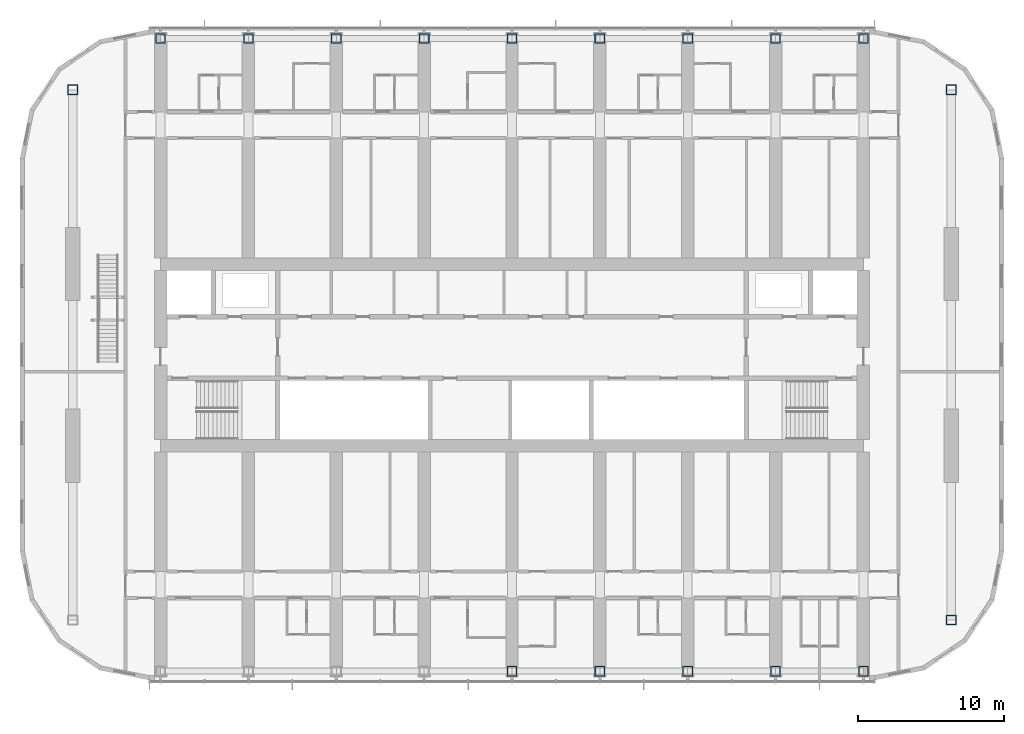
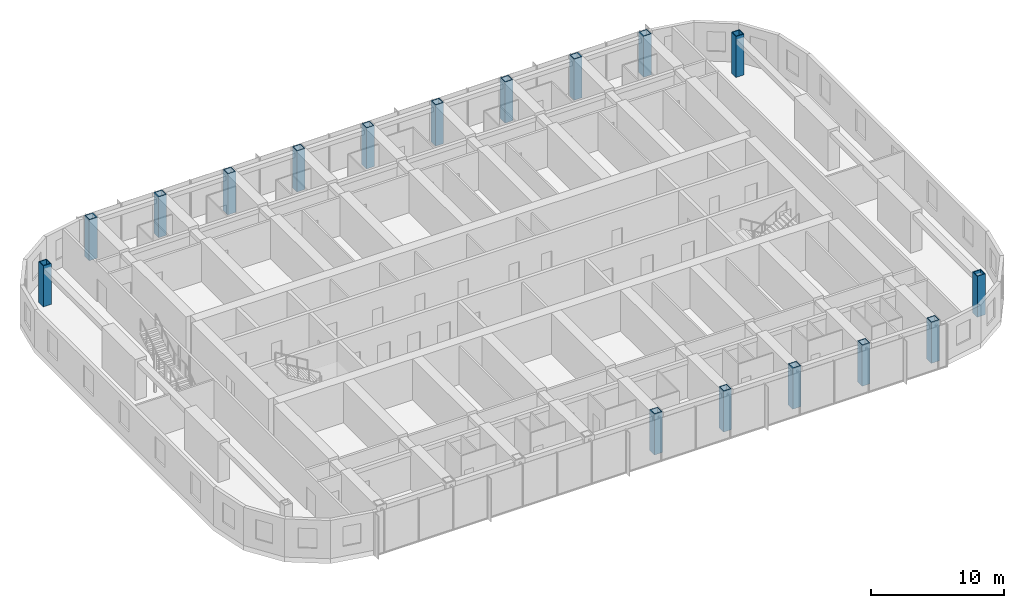
# One storey, part 3 of 27: 17 columns.
"""IFC4 building model written with IfcOpenShell, lengths in metres."""

from ifc_helpers import new_model, si_unit, direction, frame, origin, origin_2d, place, context, subcontext, project, spatial, hollow_rectangle, extrude, material, material_profile, profile_set, type_object, element, save


model = new_model("IFC4")

# Units and contexts
model_context = context("Model", 3, precision=1e-05, world=origin(), true_north=direction((0.0, 1.0)))
body_context = subcontext(model_context, "Body", "Model", "MODEL_VIEW")
ifc_project = project(units=[si_unit("LENGTHUNIT", "METRE"), si_unit("AREAUNIT", "SQUARE_METRE"), si_unit("VOLUMEUNIT", "CUBIC_METRE"), si_unit("PLANEANGLEUNIT", "RADIAN"), si_unit("MASSUNIT", "GRAM", prefix="KILO")], contexts=[model_context])

# Site, building, storey
site_placement = place(None, origin())
site = spatial("IfcSite", under=ifc_project, at=site_placement, CompositionType="ELEMENT")
building_placement = place(site_placement, origin())
building = spatial("IfcBuilding", under=site, at=building_placement, Name="Orbita Commons", CompositionType="ELEMENT")
storey_placement = place(building_placement, frame((0.0, 0.0, 178.60009765625)))
storey = spatial("IfcBuildingStorey", under=building, at=storey_placement, Name="L44", CompositionType="ELEMENT", Elevation=178.60009765625)

# Columns
ifc_material = material(Name="Steel ASTM A572 Gr 50 welded plate", Category="steel")
ifc_material_profile = material_profile(ifc_material, hollow_rectangle(XDim=0.699951171875, YDim=0.699951171875, WallThickness=0.070068359375, at=origin_2d()), Name="BOX 700x700x70")
ifc_profile_set = profile_set([ifc_material_profile], Name="Steel ASTM A572 Gr 50 welded plate")
column_type = type_object("IfcColumnType", Name="Steel column BOX 700x700x70", PredefinedType="COLUMN", material=ifc_profile_set)
for number, where, z_axis, x_axis, name in (
    (1, (18.0, 53.60009765625, 0.0), (0.0, 0.0, 1.0), (1.0, 0.0, 0.0), "Column 4/E L44"),
    (2, (24.0, 53.60009765625, 0.0), (0.0, 0.0, 1.0), (1.0, 0.0, 0.0), "Column 5/E L44"),
    (3, (30.0, 53.60009765625, 0.0), (0.0, 0.0, 1.0), (1.0, 0.0, 0.0), "Column 6/E L44"),
    (4, (36.0, 53.60009765625, 0.0), (0.0, 0.0, 1.0), (1.0, 0.0, 0.0), "Column 7/E L44"),
    (5, (42.0, 10.39990234375, 0.0), (0.0, 0.0, 1.0), (1.0, 0.0, 0.0), "Column 8/B L44"),
    (6, (42.0, 53.60009765625, 0.0), (0.0, 0.0, 1.0), (1.0, 0.0, 0.0), "Column 8/E L44"),
    (7, (48.0, 10.39990234375, 0.0), (0.0, 0.0, 1.0), (1.0, 0.0, 0.0), "Column 9/B L44"),
    (8, (48.0, 53.60009765625, 0.0), (0.0, 0.0, 1.0), (1.0, 0.0, 0.0), "Column 9/E L44"),
    (9, (54.0, 10.39990234375, 0.0), (0.0, 0.0, 1.0), (1.0, 0.0, 0.0), "Column 10/B L44"),
    (10, (54.0, 53.60009765625, 0.0), (0.0, 0.0, 1.0), (1.0, 0.0, 0.0), "Column 10/E L44"),
    (11, (60.0, 10.39990234375, 0.0), (0.0, 0.0, 1.0), (1.0, 0.0, 0.0), "Column 11/B L44"),
    (12, (60.0, 53.60009765625, 0.0), (0.0, 0.0, 1.0), (1.0, 0.0, 0.0), "Column 11/E L44"),
    (13, (66.0, 10.39990234375, 0.0), (0.0, 0.0, 1.0), (1.0, 0.0, 0.0), "Column 12/B L44"),
    (14, (66.0, 53.60009765625, 0.0), (0.0, 0.0, 1.0), (1.0, 0.0, 0.0), "Column 12/E L44"),
    (15, (12.0, 50.10009765625, 0.0), (0.0, 0.0, 1.0), (1.0, 0.0, 0.0), "Column 3/50.1 L44"),
    (16, (72.0, 13.89990234375, 0.0), (0.0, 0.0, 1.0), (1.0, 0.0, 0.0), "Column 13/13.9 L44"),
    (17, (72.0, 50.10009765625, 0.0), (0.0, 0.0, 1.0), (1.0, 0.0, 0.0), "Column 13/50.1 L44"),
):
    element("IfcColumn", number, at=place(storey_placement, frame(where, z_axis=z_axis, x_axis=x_axis)), inside=storey, type_object=column_type, Name=name, PredefinedType="COLUMN", context=body_context, shape_type="SweptSolid", body=[
        extrude(hollow_rectangle(XDim=0.699951171875, YDim=0.699951171875, WallThickness=0.070068359375, at=origin_2d()), origin(), (0.0, 0.0, 1.0), 3.75),
    ])

save(model, "model.ifc")
